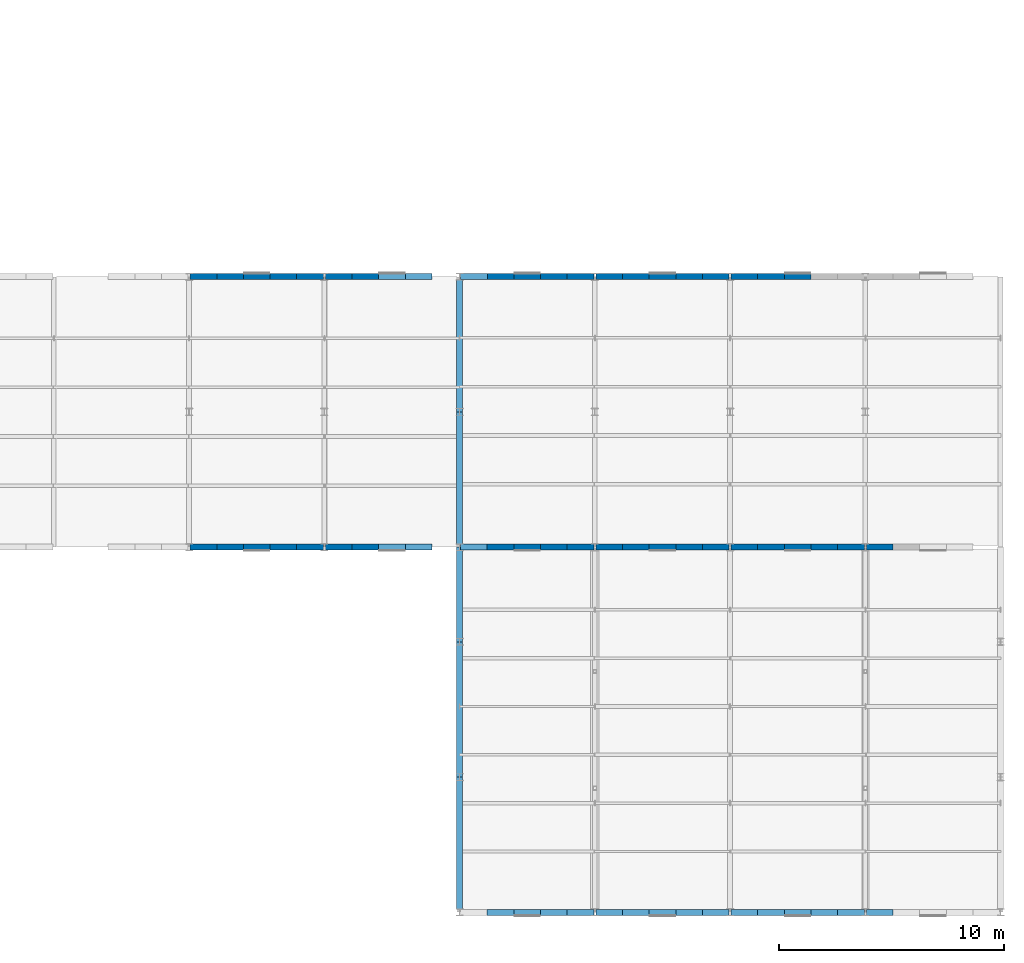
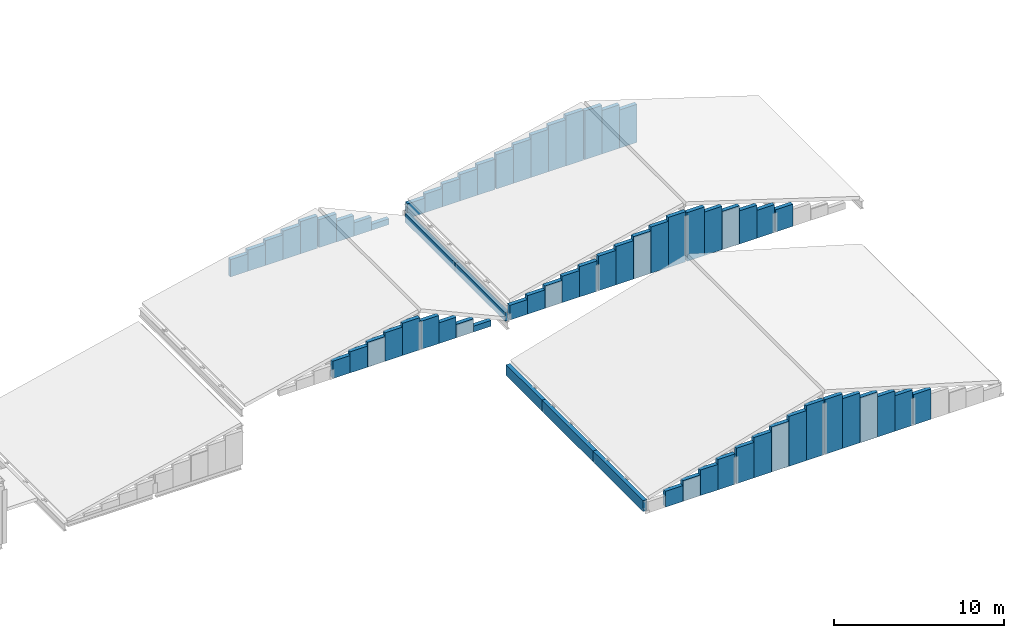
# One storey, part 66 of 74: 67 walls.
"""IFC4 building model written with IfcOpenShell, lengths in metres."""

from ifc_helpers import new_model, si_unit, direction, frame, frame_2d, origin, place, context, subcontext, project, spatial, rectangle, extrude, material, layer, layer_set, type_object, element, save


model = new_model("IFC4")

# Units and contexts
model_context = context("Model", 3, precision=1e-05, world=origin(), true_north=direction((0.0, 1.0)))
body_context = subcontext(model_context, "Body", "Model", "MODEL_VIEW")
ifc_project = project(units=[si_unit("LENGTHUNIT", "METRE"), si_unit("AREAUNIT", "SQUARE_METRE"), si_unit("VOLUMEUNIT", "CUBIC_METRE"), si_unit("PLANEANGLEUNIT", "RADIAN"), si_unit("MASSUNIT", "GRAM", prefix="KILO")], contexts=[model_context])

# Site, building, storey
site_placement = place(None, origin())
site = spatial("IfcSite", under=ifc_project, at=site_placement, CompositionType="ELEMENT")
building_placement = place(site_placement, origin())
building = spatial("IfcBuilding", under=site, at=building_placement, Name="Siltcreek Boulevard Central Fire Station", CompositionType="ELEMENT")
storey_placement = place(building_placement, frame((0.0, 0.0, 25.199951171875)))
storey = spatial("IfcBuildingStorey", under=building, at=storey_placement, Name="RF", CompositionType="ELEMENT", Elevation=25.199951171875)

# Walls
ifc_material = material(Name="Western Red Cedar insulated gable wall", Category="wood")
ifc_layer = layer(ifc_material, 0.264892578125, Name="Western Red Cedar insulated gable wall")
ifc_layer_set = layer_set([ifc_layer], Name="Western Red Cedar insulated gable wall")
wall_type = type_object("IfcWallType", Name="EW_CEDAR265", PredefinedType="STANDARD", material=ifc_layer_set)
wall_1_placement = place(storey_placement, frame((130.2451171875, 18.0, -11.199951171875), z_axis=(0.0, 0.0, 1.0), x_axis=(1.0, 0.0, 0.0)))
element("IfcWall", 1, at=wall_1_placement, inside=storey, type_object=wall_type, Name="Roof gable timber-lined enclosure wall RF-H7W-0306", PredefinedType="STANDARD", context=body_context, shape_type="SweptSolid", body=[
    extrude(rectangle(XDim=1.181884765625, YDim=0.264892578125, at=frame_2d((0.5908203125, 0.0))), origin(), (0.0, 0.0, 1.0), 1.243896484375),
])
wall_2_placement = place(storey_placement, frame((131.427001953125, 18.0, -11.199951171875), z_axis=(0.0, 0.0, 1.0), x_axis=(1.0, 0.0, 0.0)))
element("IfcWall", 2, at=wall_2_placement, inside=storey, type_object=wall_type, Name="Roof gable timber-lined enclosure wall RF-H7W-0307", PredefinedType="STANDARD", context=body_context, shape_type="SweptSolid", body=[
    extrude(rectangle(XDim=1.181884765625, YDim=0.264892578125, at=frame_2d((0.5908203125, 0.0))), origin(), (0.0, 0.0, 1.0), 1.509765625),
])
wall_3_placement = place(storey_placement, frame((132.60888671875, 18.0, -11.199951171875), z_axis=(0.0, 0.0, 1.0), x_axis=(1.0, 0.0, 0.0)))
element("IfcWall", 3, at=wall_3_placement, inside=storey, type_object=wall_type, Name="Roof gable timber-lined enclosure wall RF-H7W-0308", PredefinedType="STANDARD", context=body_context, shape_type="SweptSolid", body=[
    extrude(rectangle(XDim=1.18212890625, YDim=0.264892578125, at=frame_2d((0.591064453125, 0.0))), origin(), (0.0, 0.0, 1.0), 1.77587890625),
])
wall_4_placement = place(storey_placement, frame((133.791015625, 18.0, -11.199951171875), z_axis=(0.0, 0.0, 1.0), x_axis=(1.0, 0.0, 0.0)))
element("IfcWall", 4, at=wall_4_placement, inside=storey, type_object=wall_type, Name="Roof gable timber-lined enclosure wall RF-H7W-0309", PredefinedType="STANDARD", context=body_context, shape_type="SweptSolid", body=[
    extrude(rectangle(XDim=1.181884765625, YDim=0.264892578125, at=frame_2d((0.5908203125, 0.0))), origin(), (0.0, 0.0, 1.0), 2.041748046875),
])
wall_5_placement = place(storey_placement, frame((134.972900390625, 18.0, -11.199951171875), z_axis=(0.0, 0.0, 1.0), x_axis=(1.0, 0.0, 0.0)))
element("IfcWall", 5, at=wall_5_placement, inside=storey, type_object=wall_type, Name="Roof gable timber-lined enclosure wall RF-H7W-0310", PredefinedType="STANDARD", context=body_context, shape_type="SweptSolid", body=[
    extrude(rectangle(XDim=1.18212890625, YDim=0.264892578125, at=frame_2d((0.591064453125, 0.0))), origin(), (0.0, 0.0, 1.0), 2.3076171875),
])
wall_6_placement = place(storey_placement, frame((131.427001953125, 30.0, -11.199951171875), z_axis=(0.0, 0.0, 1.0), x_axis=(-1.0, 0.0, 0.0)))
element("IfcWall", 6, at=wall_6_placement, inside=storey, type_object=wall_type, Name="Roof gable timber-lined enclosure wall RF-H7W-0314", PredefinedType="STANDARD", context=body_context, shape_type="SweptSolid", body=[
    extrude(rectangle(XDim=1.181884765625, YDim=0.264892578125, at=frame_2d((0.5908203125, 0.0))), origin(), (0.0, 0.0, 1.0), 1.243896484375),
])
wall_7_placement = place(storey_placement, frame((132.60888671875, 30.0, -11.199951171875), z_axis=(0.0, 0.0, 1.0), x_axis=(-1.0, 0.0, 0.0)))
element("IfcWall", 7, at=wall_7_placement, inside=storey, type_object=wall_type, Name="Roof gable timber-lined enclosure wall RF-H7W-0315", PredefinedType="STANDARD", context=body_context, shape_type="SweptSolid", body=[
    extrude(rectangle(XDim=1.181884765625, YDim=0.264892578125, at=frame_2d((0.5908203125, 0.0))), origin(), (0.0, 0.0, 1.0), 1.509765625),
])
wall_8_placement = place(storey_placement, frame((133.791015625, 30.0, -11.199951171875), z_axis=(0.0, 0.0, 1.0), x_axis=(-1.0, 0.0, 0.0)))
element("IfcWall", 8, at=wall_8_placement, inside=storey, type_object=wall_type, Name="Roof gable timber-lined enclosure wall RF-H7W-0316", PredefinedType="STANDARD", context=body_context, shape_type="SweptSolid", body=[
    extrude(rectangle(XDim=1.18212890625, YDim=0.264892578125, at=frame_2d((0.591064453125, 0.0))), origin(), (0.0, 0.0, 1.0), 1.77587890625),
])
wall_9_placement = place(storey_placement, frame((134.972900390625, 30.0, -11.199951171875), z_axis=(0.0, 0.0, 1.0), x_axis=(-1.0, 0.0, 0.0)))
element("IfcWall", 9, at=wall_9_placement, inside=storey, type_object=wall_type, Name="Roof gable timber-lined enclosure wall RF-H7W-0317", PredefinedType="STANDARD", context=body_context, shape_type="SweptSolid", body=[
    extrude(rectangle(XDim=1.181884765625, YDim=0.264892578125, at=frame_2d((0.5908203125, 0.0))), origin(), (0.0, 0.0, 1.0), 2.041748046875),
])
wall_10_placement = place(storey_placement, frame((136.155029296875, 30.0, -11.199951171875), z_axis=(0.0, 0.0, 1.0), x_axis=(-1.0, 0.0, 0.0)))
element("IfcWall", 10, at=wall_10_placement, inside=storey, type_object=wall_type, Name="Roof gable timber-lined enclosure wall RF-H7W-0318", PredefinedType="STANDARD", context=body_context, shape_type="SweptSolid", body=[
    extrude(rectangle(XDim=1.18212890625, YDim=0.264892578125, at=frame_2d((0.591064453125, 0.0))), origin(), (0.0, 0.0, 1.0), 2.3076171875),
])
wall_11_placement = place(storey_placement, frame((136.2451171875, 18.0, -11.199951171875), z_axis=(0.0, 0.0, 1.0), x_axis=(1.0, 0.0, 0.0)))
element("IfcWall", 11, at=wall_11_placement, inside=storey, type_object=wall_type, Name="Roof gable timber-lined enclosure wall RF-H7E-0319", PredefinedType="STANDARD", context=body_context, shape_type="SweptSolid", body=[
    extrude(rectangle(XDim=1.181884765625, YDim=0.264892578125, at=frame_2d((0.5908203125, 0.0))), origin(), (0.0, 0.0, 1.0), 2.013671875),
])
wall_12_placement = place(storey_placement, frame((137.427001953125, 18.0, -11.199951171875), z_axis=(0.0, 0.0, 1.0), x_axis=(1.0, 0.0, 0.0)))
element("IfcWall", 12, at=wall_12_placement, inside=storey, type_object=wall_type, Name="Roof gable timber-lined enclosure wall RF-H7E-0320", PredefinedType="STANDARD", context=body_context, shape_type="SweptSolid", body=[
    extrude(rectangle(XDim=1.181884765625, YDim=0.264892578125, at=frame_2d((0.5908203125, 0.0))), origin(), (0.0, 0.0, 1.0), 1.481689453125),
])
wall_13_placement = place(storey_placement, frame((138.60888671875, 18.0, -11.199951171875), z_axis=(0.0, 0.0, 1.0), x_axis=(1.0, 0.0, 0.0)))
element("IfcWall", 13, at=wall_13_placement, inside=storey, type_object=wall_type, Name="Roof gable timber-lined enclosure wall RF-H7E-0321", PredefinedType="STANDARD", context=body_context, shape_type="SweptSolid", body=[
    extrude(rectangle(XDim=1.18212890625, YDim=0.264892578125, at=frame_2d((0.591064453125, 0.0))), origin(), (0.0, 0.0, 1.0), 0.949951171875),
])
wall_14_placement = place(storey_placement, frame((139.791015625, 18.0, -11.199951171875), z_axis=(0.0, 0.0, 1.0), x_axis=(1.0, 0.0, 0.0)))
element("IfcWall", 14, at=wall_14_placement, inside=storey, type_object=wall_type, Name="Roof gable timber-lined enclosure wall RF-H7E-0322", PredefinedType="STANDARD", context=body_context, shape_type="SweptSolid", body=[
    extrude(rectangle(XDim=1.181884765625, YDim=0.264892578125, at=frame_2d((0.5908203125, 0.0))), origin(), (0.0, 0.0, 1.0), 0.41796875),
])
wall_15_placement = place(storey_placement, frame((137.427001953125, 30.0, -11.199951171875), z_axis=(0.0, 0.0, 1.0), x_axis=(-1.0, 0.0, 0.0)))
element("IfcWall", 15, at=wall_15_placement, inside=storey, type_object=wall_type, Name="Roof gable timber-lined enclosure wall RF-H7E-0323", PredefinedType="STANDARD", context=body_context, shape_type="SweptSolid", body=[
    extrude(rectangle(XDim=1.181884765625, YDim=0.264892578125, at=frame_2d((0.5908203125, 0.0))), origin(), (0.0, 0.0, 1.0), 2.013671875),
])
wall_16_placement = place(storey_placement, frame((138.60888671875, 30.0, -11.199951171875), z_axis=(0.0, 0.0, 1.0), x_axis=(-1.0, 0.0, 0.0)))
element("IfcWall", 16, at=wall_16_placement, inside=storey, type_object=wall_type, Name="Roof gable timber-lined enclosure wall RF-H7E-0324", PredefinedType="STANDARD", context=body_context, shape_type="SweptSolid", body=[
    extrude(rectangle(XDim=1.181884765625, YDim=0.264892578125, at=frame_2d((0.5908203125, 0.0))), origin(), (0.0, 0.0, 1.0), 1.481689453125),
])
wall_17_placement = place(storey_placement, frame((139.791015625, 30.0, -11.199951171875), z_axis=(0.0, 0.0, 1.0), x_axis=(-1.0, 0.0, 0.0)))
element("IfcWall", 17, at=wall_17_placement, inside=storey, type_object=wall_type, Name="Roof gable timber-lined enclosure wall RF-H7E-0325", PredefinedType="STANDARD", context=body_context, shape_type="SweptSolid", body=[
    extrude(rectangle(XDim=1.18212890625, YDim=0.264892578125, at=frame_2d((0.591064453125, 0.0))), origin(), (0.0, 0.0, 1.0), 0.949951171875),
])
wall_18_placement = place(storey_placement, frame((140.972900390625, 30.0, -11.199951171875), z_axis=(0.0, 0.0, 1.0), x_axis=(-1.0, 0.0, 0.0)))
element("IfcWall", 18, at=wall_18_placement, inside=storey, type_object=wall_type, Name="Roof gable timber-lined enclosure wall RF-H7E-0326", PredefinedType="STANDARD", context=body_context, shape_type="SweptSolid", body=[
    extrude(rectangle(XDim=1.181884765625, YDim=0.264892578125, at=frame_2d((0.5908203125, 0.0))), origin(), (0.0, 0.0, 1.0), 0.41796875),
])
wall_19_placement = place(storey_placement, frame((143.427001953125, 1.800048828125, -15.199951171875), z_axis=(0.0, 0.0, 1.0), x_axis=(1.0, 0.0, 0.0)))
element("IfcWall", 19, at=wall_19_placement, inside=storey, type_object=wall_type, Name="Roof gable timber-lined enclosure wall RF-H8W-TH-0328", PredefinedType="STANDARD", context=body_context, shape_type="SweptSolid", body=[
    extrude(rectangle(XDim=1.181884765625, YDim=0.264892578125, at=frame_2d((0.5908203125, 0.0))), origin(), (0.0, 0.0, 1.0), 1.137451171875),
])
wall_20_placement = place(storey_placement, frame((144.60888671875, 1.800048828125, -15.199951171875), z_axis=(0.0, 0.0, 1.0), x_axis=(1.0, 0.0, 0.0)))
element("IfcWall", 20, at=wall_20_placement, inside=storey, type_object=wall_type, Name="Roof gable timber-lined enclosure wall RF-H8W-TH-0329", PredefinedType="STANDARD", context=body_context, shape_type="SweptSolid", body=[
    extrude(rectangle(XDim=1.18212890625, YDim=0.264892578125, at=frame_2d((0.591064453125, 0.0))), origin(), (0.0, 0.0, 1.0), 1.482177734375),
])
wall_21_placement = place(storey_placement, frame((145.791015625, 1.800048828125, -15.199951171875), z_axis=(0.0, 0.0, 1.0), x_axis=(1.0, 0.0, 0.0)))
element("IfcWall", 21, at=wall_21_placement, inside=storey, type_object=wall_type, Name="Roof gable timber-lined enclosure wall RF-H8W-TH-0330", PredefinedType="STANDARD", context=body_context, shape_type="SweptSolid", body=[
    extrude(rectangle(XDim=1.181884765625, YDim=0.264892578125, at=frame_2d((0.5908203125, 0.0))), origin(), (0.0, 0.0, 1.0), 1.826904296875),
])
wall_22_placement = place(storey_placement, frame((146.972900390625, 1.800048828125, -15.199951171875), z_axis=(0.0, 0.0, 1.0), x_axis=(1.0, 0.0, 0.0)))
element("IfcWall", 22, at=wall_22_placement, inside=storey, type_object=wall_type, Name="Roof gable timber-lined enclosure wall RF-H8W-TH-0331", PredefinedType="STANDARD", context=body_context, shape_type="SweptSolid", body=[
    extrude(rectangle(XDim=1.18212890625, YDim=0.264892578125, at=frame_2d((0.591064453125, 0.0))), origin(), (0.0, 0.0, 1.0), 2.171630859375),
])
wall_23_placement = place(storey_placement, frame((148.2451171875, 1.800048828125, -15.199951171875), z_axis=(0.0, 0.0, 1.0), x_axis=(1.0, 0.0, 0.0)))
element("IfcWall", 23, at=wall_23_placement, inside=storey, type_object=wall_type, Name="Roof gable timber-lined enclosure wall RF-H8W-TH-0332", PredefinedType="STANDARD", context=body_context, shape_type="SweptSolid", body=[
    extrude(rectangle(XDim=1.181884765625, YDim=0.264892578125, at=frame_2d((0.5908203125, 0.0))), origin(), (0.0, 0.0, 1.0), 2.542724609375),
])
wall_24_placement = place(storey_placement, frame((149.427001953125, 1.800048828125, -15.199951171875), z_axis=(0.0, 0.0, 1.0), x_axis=(1.0, 0.0, 0.0)))
element("IfcWall", 24, at=wall_24_placement, inside=storey, type_object=wall_type, Name="Roof gable timber-lined enclosure wall RF-H8W-TH-0333", PredefinedType="STANDARD", context=body_context, shape_type="SweptSolid", body=[
    extrude(rectangle(XDim=1.181884765625, YDim=0.264892578125, at=frame_2d((0.5908203125, 0.0))), origin(), (0.0, 0.0, 1.0), 2.887451171875),
])
wall_25_placement = place(storey_placement, frame((150.60888671875, 1.800048828125, -15.199951171875), z_axis=(0.0, 0.0, 1.0), x_axis=(1.0, 0.0, 0.0)))
element("IfcWall", 25, at=wall_25_placement, inside=storey, type_object=wall_type, Name="Roof gable timber-lined enclosure wall RF-H8W-TH-0334", PredefinedType="STANDARD", context=body_context, shape_type="SweptSolid", body=[
    extrude(rectangle(XDim=1.18212890625, YDim=0.264892578125, at=frame_2d((0.591064453125, 0.0))), origin(), (0.0, 0.0, 1.0), 3.232177734375),
])
wall_26_placement = place(storey_placement, frame((151.791015625, 1.800048828125, -15.199951171875), z_axis=(0.0, 0.0, 1.0), x_axis=(1.0, 0.0, 0.0)))
element("IfcWall", 26, at=wall_26_placement, inside=storey, type_object=wall_type, Name="Roof gable timber-lined enclosure wall RF-H8W-TH-0335", PredefinedType="STANDARD", context=body_context, shape_type="SweptSolid", body=[
    extrude(rectangle(XDim=1.181884765625, YDim=0.264892578125, at=frame_2d((0.5908203125, 0.0))), origin(), (0.0, 0.0, 1.0), 3.576904296875),
])
wall_27_placement = place(storey_placement, frame((152.972900390625, 1.800048828125, -15.199951171875), z_axis=(0.0, 0.0, 1.0), x_axis=(1.0, 0.0, 0.0)))
element("IfcWall", 27, at=wall_27_placement, inside=storey, type_object=wall_type, Name="Roof gable timber-lined enclosure wall RF-H8W-TH-0336", PredefinedType="STANDARD", context=body_context, shape_type="SweptSolid", body=[
    extrude(rectangle(XDim=1.18212890625, YDim=0.264892578125, at=frame_2d((0.591064453125, 0.0))), origin(), (0.0, 0.0, 1.0), 3.921630859375),
])
wall_28_placement = place(storey_placement, frame((142.199951171875, 7.800048828125, -15.199951171875), z_axis=(0.0, 0.0, 1.0), x_axis=(0.0, -1.0, 0.0)))
element("IfcWall", 28, at=wall_28_placement, inside=storey, type_object=wall_type, Name="Roof step cheek enclosure wall RF-H8W-TH-0337", PredefinedType="STANDARD", context=body_context, shape_type="SweptSolid", body=[
    extrude(rectangle(XDim=5.867431640625, YDim=0.264892578125, at=frame_2d((2.93359375, 0.0))), origin(), (0.0, 0.0, 1.0), 0.779541015625),
])
wall_29_placement = place(storey_placement, frame((142.199951171875, 13.800048828125, -15.199951171875), z_axis=(0.0, 0.0, 1.0), x_axis=(0.0, -1.0, 0.0)))
element("IfcWall", 29, at=wall_29_placement, inside=storey, type_object=wall_type, Name="Roof step cheek enclosure wall RF-H8W-TH-0338", PredefinedType="STANDARD", context=body_context, shape_type="SweptSolid", body=[
    extrude(rectangle(XDim=6.0, YDim=0.264892578125, at=frame_2d((3.0, 0.0))), origin(), (0.0, 0.0, 1.0), 0.779541015625),
])
wall_30_placement = place(storey_placement, frame((142.199951171875, 18.0, -15.199951171875), z_axis=(0.0, 0.0, 1.0), x_axis=(0.0, -1.0, 0.0)))
element("IfcWall", 30, at=wall_30_placement, inside=storey, type_object=wall_type, Name="Roof step cheek enclosure wall RF-H8W-TH-0339", PredefinedType="STANDARD", context=body_context, shape_type="SweptSolid", body=[
    extrude(rectangle(XDim=4.199951171875, YDim=0.264892578125, at=frame_2d((2.10009765625, 0.0))), origin(), (0.0, 0.0, 1.0), 0.779541015625),
])
wall_31_placement = place(storey_placement, frame((154.2451171875, 1.800048828125, -15.199951171875), z_axis=(0.0, 0.0, 1.0), x_axis=(1.0, 0.0, 0.0)))
element("IfcWall", 31, at=wall_31_placement, inside=storey, type_object=wall_type, Name="Roof gable timber-lined enclosure wall RF-H8E-TH-0340", PredefinedType="STANDARD", context=body_context, shape_type="SweptSolid", body=[
    extrude(rectangle(XDim=1.181884765625, YDim=0.264892578125, at=frame_2d((0.5908203125, 0.0))), origin(), (0.0, 0.0, 1.0), 3.921630859375),
])
wall_32_placement = place(storey_placement, frame((155.427001953125, 1.800048828125, -15.199951171875), z_axis=(0.0, 0.0, 1.0), x_axis=(1.0, 0.0, 0.0)))
element("IfcWall", 32, at=wall_32_placement, inside=storey, type_object=wall_type, Name="Roof gable timber-lined enclosure wall RF-H8E-TH-0341", PredefinedType="STANDARD", context=body_context, shape_type="SweptSolid", body=[
    extrude(rectangle(XDim=1.181884765625, YDim=0.264892578125, at=frame_2d((0.5908203125, 0.0))), origin(), (0.0, 0.0, 1.0), 3.576904296875),
])
wall_33_placement = place(storey_placement, frame((156.60888671875, 1.800048828125, -15.199951171875), z_axis=(0.0, 0.0, 1.0), x_axis=(1.0, 0.0, 0.0)))
element("IfcWall", 33, at=wall_33_placement, inside=storey, type_object=wall_type, Name="Roof gable timber-lined enclosure wall RF-H8E-TH-0342", PredefinedType="STANDARD", context=body_context, shape_type="SweptSolid", body=[
    extrude(rectangle(XDim=1.18212890625, YDim=0.264892578125, at=frame_2d((0.591064453125, 0.0))), origin(), (0.0, 0.0, 1.0), 3.232177734375),
])
wall_34_placement = place(storey_placement, frame((157.791015625, 1.800048828125, -15.199951171875), z_axis=(0.0, 0.0, 1.0), x_axis=(1.0, 0.0, 0.0)))
element("IfcWall", 34, at=wall_34_placement, inside=storey, type_object=wall_type, Name="Roof gable timber-lined enclosure wall RF-H8E-TH-0343", PredefinedType="STANDARD", context=body_context, shape_type="SweptSolid", body=[
    extrude(rectangle(XDim=1.181884765625, YDim=0.264892578125, at=frame_2d((0.5908203125, 0.0))), origin(), (0.0, 0.0, 1.0), 2.887451171875),
])
wall_35_placement = place(storey_placement, frame((158.972900390625, 1.800048828125, -15.199951171875), z_axis=(0.0, 0.0, 1.0), x_axis=(1.0, 0.0, 0.0)))
element("IfcWall", 35, at=wall_35_placement, inside=storey, type_object=wall_type, Name="Roof gable timber-lined enclosure wall RF-H8E-TH-0344", PredefinedType="STANDARD", context=body_context, shape_type="SweptSolid", body=[
    extrude(rectangle(XDim=1.18212890625, YDim=0.264892578125, at=frame_2d((0.591064453125, 0.0))), origin(), (0.0, 0.0, 1.0), 2.542724609375),
])
wall_36_placement = place(storey_placement, frame((160.2451171875, 1.800048828125, -15.199951171875), z_axis=(0.0, 0.0, 1.0), x_axis=(1.0, 0.0, 0.0)))
element("IfcWall", 36, at=wall_36_placement, inside=storey, type_object=wall_type, Name="Roof gable timber-lined enclosure wall RF-H8E-TH-0345", PredefinedType="STANDARD", context=body_context, shape_type="SweptSolid", body=[
    extrude(rectangle(XDim=1.181884765625, YDim=0.264892578125, at=frame_2d((0.5908203125, 0.0))), origin(), (0.0, 0.0, 1.0), 2.171630859375),
])
wall_37_placement = place(storey_placement, frame((142.2451171875, 18.0, -11.199951171875), z_axis=(0.0, 0.0, 1.0), x_axis=(1.0, 0.0, 0.0)))
element("IfcWall", 37, at=wall_37_placement, inside=storey, type_object=wall_type, Name="Roof gable timber-lined enclosure wall RF-H8W-UP-0353", PredefinedType="STANDARD", context=body_context, shape_type="SweptSolid", body=[
    extrude(rectangle(XDim=1.181884765625, YDim=0.264892578125, at=frame_2d((0.5908203125, 0.0))), origin(), (0.0, 0.0, 1.0), 1.043701171875),
])
wall_38_placement = place(storey_placement, frame((143.427001953125, 18.0, -11.199951171875), z_axis=(0.0, 0.0, 1.0), x_axis=(1.0, 0.0, 0.0)))
element("IfcWall", 38, at=wall_38_placement, inside=storey, type_object=wall_type, Name="Roof gable timber-lined enclosure wall RF-H8W-UP-0354", PredefinedType="STANDARD", context=body_context, shape_type="SweptSolid", body=[
    extrude(rectangle(XDim=1.181884765625, YDim=0.264892578125, at=frame_2d((0.5908203125, 0.0))), origin(), (0.0, 0.0, 1.0), 1.324462890625),
])
wall_39_placement = place(storey_placement, frame((144.60888671875, 18.0, -11.199951171875), z_axis=(0.0, 0.0, 1.0), x_axis=(1.0, 0.0, 0.0)))
element("IfcWall", 39, at=wall_39_placement, inside=storey, type_object=wall_type, Name="Roof gable timber-lined enclosure wall RF-H8W-UP-0355", PredefinedType="STANDARD", context=body_context, shape_type="SweptSolid", body=[
    extrude(rectangle(XDim=1.18212890625, YDim=0.264892578125, at=frame_2d((0.591064453125, 0.0))), origin(), (0.0, 0.0, 1.0), 1.605224609375),
])
wall_40_placement = place(storey_placement, frame((145.791015625, 18.0, -11.199951171875), z_axis=(0.0, 0.0, 1.0), x_axis=(1.0, 0.0, 0.0)))
element("IfcWall", 40, at=wall_40_placement, inside=storey, type_object=wall_type, Name="Roof gable timber-lined enclosure wall RF-H8W-UP-0356", PredefinedType="STANDARD", context=body_context, shape_type="SweptSolid", body=[
    extrude(rectangle(XDim=1.181884765625, YDim=0.264892578125, at=frame_2d((0.5908203125, 0.0))), origin(), (0.0, 0.0, 1.0), 1.885986328125),
])
wall_41_placement = place(storey_placement, frame((146.972900390625, 18.0, -11.199951171875), z_axis=(0.0, 0.0, 1.0), x_axis=(1.0, 0.0, 0.0)))
element("IfcWall", 41, at=wall_41_placement, inside=storey, type_object=wall_type, Name="Roof gable timber-lined enclosure wall RF-H8W-UP-0357", PredefinedType="STANDARD", context=body_context, shape_type="SweptSolid", body=[
    extrude(rectangle(XDim=1.18212890625, YDim=0.264892578125, at=frame_2d((0.591064453125, 0.0))), origin(), (0.0, 0.0, 1.0), 2.16650390625),
])
wall_42_placement = place(storey_placement, frame((148.2451171875, 18.0, -11.199951171875), z_axis=(0.0, 0.0, 1.0), x_axis=(1.0, 0.0, 0.0)))
element("IfcWall", 42, at=wall_42_placement, inside=storey, type_object=wall_type, Name="Roof gable timber-lined enclosure wall RF-H8W-UP-0358", PredefinedType="STANDARD", context=body_context, shape_type="SweptSolid", body=[
    extrude(rectangle(XDim=1.181884765625, YDim=0.264892578125, at=frame_2d((0.5908203125, 0.0))), origin(), (0.0, 0.0, 1.0), 2.46875),
])
wall_43_placement = place(storey_placement, frame((149.427001953125, 18.0, -11.199951171875), z_axis=(0.0, 0.0, 1.0), x_axis=(1.0, 0.0, 0.0)))
element("IfcWall", 43, at=wall_43_placement, inside=storey, type_object=wall_type, Name="Roof gable timber-lined enclosure wall RF-H8W-UP-0359", PredefinedType="STANDARD", context=body_context, shape_type="SweptSolid", body=[
    extrude(rectangle(XDim=1.181884765625, YDim=0.264892578125, at=frame_2d((0.5908203125, 0.0))), origin(), (0.0, 0.0, 1.0), 2.74951171875),
])
wall_44_placement = place(storey_placement, frame((150.60888671875, 18.0, -11.199951171875), z_axis=(0.0, 0.0, 1.0), x_axis=(1.0, 0.0, 0.0)))
element("IfcWall", 44, at=wall_44_placement, inside=storey, type_object=wall_type, Name="Roof gable timber-lined enclosure wall RF-H8W-UP-0360", PredefinedType="STANDARD", context=body_context, shape_type="SweptSolid", body=[
    extrude(rectangle(XDim=1.18212890625, YDim=0.264892578125, at=frame_2d((0.591064453125, 0.0))), origin(), (0.0, 0.0, 1.0), 3.0302734375),
])
wall_45_placement = place(storey_placement, frame((151.791015625, 18.0, -11.199951171875), z_axis=(0.0, 0.0, 1.0), x_axis=(1.0, 0.0, 0.0)))
element("IfcWall", 45, at=wall_45_placement, inside=storey, type_object=wall_type, Name="Roof gable timber-lined enclosure wall RF-H8W-UP-0361", PredefinedType="STANDARD", context=body_context, shape_type="SweptSolid", body=[
    extrude(rectangle(XDim=1.181884765625, YDim=0.264892578125, at=frame_2d((0.5908203125, 0.0))), origin(), (0.0, 0.0, 1.0), 3.310791015625),
])
wall_46_placement = place(storey_placement, frame((152.972900390625, 18.0, -11.199951171875), z_axis=(0.0, 0.0, 1.0), x_axis=(1.0, 0.0, 0.0)))
element("IfcWall", 46, at=wall_46_placement, inside=storey, type_object=wall_type, Name="Roof gable timber-lined enclosure wall RF-H8W-UP-0362", PredefinedType="STANDARD", context=body_context, shape_type="SweptSolid", body=[
    extrude(rectangle(XDim=1.18212890625, YDim=0.264892578125, at=frame_2d((0.591064453125, 0.0))), origin(), (0.0, 0.0, 1.0), 3.591552734375),
])
wall_47_placement = place(storey_placement, frame((143.427001953125, 30.0, -11.199951171875), z_axis=(0.0, 0.0, 1.0), x_axis=(-1.0, 0.0, 0.0)))
element("IfcWall", 47, at=wall_47_placement, inside=storey, type_object=wall_type, Name="Roof gable timber-lined enclosure wall RF-H8W-UP-0363", PredefinedType="STANDARD", context=body_context, shape_type="SweptSolid", body=[
    extrude(rectangle(XDim=1.181884765625, YDim=0.264892578125, at=frame_2d((0.5908203125, 0.0))), origin(), (0.0, 0.0, 1.0), 1.043701171875),
])
wall_48_placement = place(storey_placement, frame((144.60888671875, 30.0, -11.199951171875), z_axis=(0.0, 0.0, 1.0), x_axis=(-1.0, 0.0, 0.0)))
element("IfcWall", 48, at=wall_48_placement, inside=storey, type_object=wall_type, Name="Roof gable timber-lined enclosure wall RF-H8W-UP-0364", PredefinedType="STANDARD", context=body_context, shape_type="SweptSolid", body=[
    extrude(rectangle(XDim=1.181884765625, YDim=0.264892578125, at=frame_2d((0.5908203125, 0.0))), origin(), (0.0, 0.0, 1.0), 1.324462890625),
])
wall_49_placement = place(storey_placement, frame((145.791015625, 30.0, -11.199951171875), z_axis=(0.0, 0.0, 1.0), x_axis=(-1.0, 0.0, 0.0)))
element("IfcWall", 49, at=wall_49_placement, inside=storey, type_object=wall_type, Name="Roof gable timber-lined enclosure wall RF-H8W-UP-0365", PredefinedType="STANDARD", context=body_context, shape_type="SweptSolid", body=[
    extrude(rectangle(XDim=1.18212890625, YDim=0.264892578125, at=frame_2d((0.591064453125, 0.0))), origin(), (0.0, 0.0, 1.0), 1.605224609375),
])
wall_50_placement = place(storey_placement, frame((146.972900390625, 30.0, -11.199951171875), z_axis=(0.0, 0.0, 1.0), x_axis=(-1.0, 0.0, 0.0)))
element("IfcWall", 50, at=wall_50_placement, inside=storey, type_object=wall_type, Name="Roof gable timber-lined enclosure wall RF-H8W-UP-0366", PredefinedType="STANDARD", context=body_context, shape_type="SweptSolid", body=[
    extrude(rectangle(XDim=1.181884765625, YDim=0.264892578125, at=frame_2d((0.5908203125, 0.0))), origin(), (0.0, 0.0, 1.0), 1.885986328125),
])
wall_51_placement = place(storey_placement, frame((148.155029296875, 30.0, -11.199951171875), z_axis=(0.0, 0.0, 1.0), x_axis=(-1.0, 0.0, 0.0)))
element("IfcWall", 51, at=wall_51_placement, inside=storey, type_object=wall_type, Name="Roof gable timber-lined enclosure wall RF-H8W-UP-0367", PredefinedType="STANDARD", context=body_context, shape_type="SweptSolid", body=[
    extrude(rectangle(XDim=1.18212890625, YDim=0.264892578125, at=frame_2d((0.591064453125, 0.0))), origin(), (0.0, 0.0, 1.0), 2.16650390625),
])
wall_52_placement = place(storey_placement, frame((149.427001953125, 30.0, -11.199951171875), z_axis=(0.0, 0.0, 1.0), x_axis=(-1.0, 0.0, 0.0)))
element("IfcWall", 52, at=wall_52_placement, inside=storey, type_object=wall_type, Name="Roof gable timber-lined enclosure wall RF-H8W-UP-0368", PredefinedType="STANDARD", context=body_context, shape_type="SweptSolid", body=[
    extrude(rectangle(XDim=1.181884765625, YDim=0.264892578125, at=frame_2d((0.5908203125, 0.0))), origin(), (0.0, 0.0, 1.0), 2.46875),
])
wall_53_placement = place(storey_placement, frame((150.60888671875, 30.0, -11.199951171875), z_axis=(0.0, 0.0, 1.0), x_axis=(-1.0, 0.0, 0.0)))
element("IfcWall", 53, at=wall_53_placement, inside=storey, type_object=wall_type, Name="Roof gable timber-lined enclosure wall RF-H8W-UP-0369", PredefinedType="STANDARD", context=body_context, shape_type="SweptSolid", body=[
    extrude(rectangle(XDim=1.181884765625, YDim=0.264892578125, at=frame_2d((0.5908203125, 0.0))), origin(), (0.0, 0.0, 1.0), 2.74951171875),
])
wall_54_placement = place(storey_placement, frame((151.791015625, 30.0, -11.199951171875), z_axis=(0.0, 0.0, 1.0), x_axis=(-1.0, 0.0, 0.0)))
element("IfcWall", 54, at=wall_54_placement, inside=storey, type_object=wall_type, Name="Roof gable timber-lined enclosure wall RF-H8W-UP-0370", PredefinedType="STANDARD", context=body_context, shape_type="SweptSolid", body=[
    extrude(rectangle(XDim=1.18212890625, YDim=0.264892578125, at=frame_2d((0.591064453125, 0.0))), origin(), (0.0, 0.0, 1.0), 3.0302734375),
])
wall_55_placement = place(storey_placement, frame((152.972900390625, 30.0, -11.199951171875), z_axis=(0.0, 0.0, 1.0), x_axis=(-1.0, 0.0, 0.0)))
element("IfcWall", 55, at=wall_55_placement, inside=storey, type_object=wall_type, Name="Roof gable timber-lined enclosure wall RF-H8W-UP-0371", PredefinedType="STANDARD", context=body_context, shape_type="SweptSolid", body=[
    extrude(rectangle(XDim=1.181884765625, YDim=0.264892578125, at=frame_2d((0.5908203125, 0.0))), origin(), (0.0, 0.0, 1.0), 3.310791015625),
])
wall_56_placement = place(storey_placement, frame((154.155029296875, 30.0, -11.199951171875), z_axis=(0.0, 0.0, 1.0), x_axis=(-1.0, 0.0, 0.0)))
element("IfcWall", 56, at=wall_56_placement, inside=storey, type_object=wall_type, Name="Roof gable timber-lined enclosure wall RF-H8W-UP-0372", PredefinedType="STANDARD", context=body_context, shape_type="SweptSolid", body=[
    extrude(rectangle(XDim=1.18212890625, YDim=0.264892578125, at=frame_2d((0.591064453125, 0.0))), origin(), (0.0, 0.0, 1.0), 3.591552734375),
])
for number, where, z_axis, x_axis, name in (
    (57, (142.199951171875, 24.0, -11.3984375), (0.0, 0.0, 1.0), (0.0, -1.0, 0.0), "Roof step cheek enclosure wall RF-H8W-UP-0373"),
    (58, (142.199951171875, 29.867431640625, -11.3984375), (0.0, 0.0, 1.0), (0.0, -1.0, 0.0), "Roof step cheek enclosure wall RF-H8W-UP-0374"),
):
    element("IfcWall", number, at=place(storey_placement, frame(where, z_axis=z_axis, x_axis=x_axis)), inside=storey, type_object=wall_type, Name=name, PredefinedType="STANDARD", context=body_context, shape_type="SweptSolid", body=[
        extrude(rectangle(XDim=5.867431640625, YDim=0.264892578125, at=frame_2d((2.93359375, 0.0))), origin(), (0.0, 0.0, 1.0), 0.626708984375),
    ])
wall_57_placement = place(storey_placement, frame((154.2451171875, 18.0, -11.199951171875), z_axis=(0.0, 0.0, 1.0), x_axis=(1.0, 0.0, 0.0)))
element("IfcWall", 59, at=wall_57_placement, inside=storey, type_object=wall_type, Name="Roof gable timber-lined enclosure wall RF-H8E-UP-0375", PredefinedType="STANDARD", context=body_context, shape_type="SweptSolid", body=[
    extrude(rectangle(XDim=1.181884765625, YDim=0.264892578125, at=frame_2d((0.5908203125, 0.0))), origin(), (0.0, 0.0, 1.0), 3.4892578125),
])
wall_58_placement = place(storey_placement, frame((155.427001953125, 18.0, -11.199951171875), z_axis=(0.0, 0.0, 1.0), x_axis=(1.0, 0.0, 0.0)))
element("IfcWall", 60, at=wall_58_placement, inside=storey, type_object=wall_type, Name="Roof gable timber-lined enclosure wall RF-H8E-UP-0376", PredefinedType="STANDARD", context=body_context, shape_type="SweptSolid", body=[
    extrude(rectangle(XDim=1.181884765625, YDim=0.264892578125, at=frame_2d((0.5908203125, 0.0))), origin(), (0.0, 0.0, 1.0), 3.114990234375),
])
wall_59_placement = place(storey_placement, frame((156.60888671875, 18.0, -11.199951171875), z_axis=(0.0, 0.0, 1.0), x_axis=(1.0, 0.0, 0.0)))
element("IfcWall", 61, at=wall_59_placement, inside=storey, type_object=wall_type, Name="Roof gable timber-lined enclosure wall RF-H8E-UP-0377", PredefinedType="STANDARD", context=body_context, shape_type="SweptSolid", body=[
    extrude(rectangle(XDim=1.18212890625, YDim=0.264892578125, at=frame_2d((0.591064453125, 0.0))), origin(), (0.0, 0.0, 1.0), 2.740478515625),
])
wall_60_placement = place(storey_placement, frame((157.791015625, 18.0, -11.199951171875), z_axis=(0.0, 0.0, 1.0), x_axis=(1.0, 0.0, 0.0)))
element("IfcWall", 62, at=wall_60_placement, inside=storey, type_object=wall_type, Name="Roof gable timber-lined enclosure wall RF-H8E-UP-0378", PredefinedType="STANDARD", context=body_context, shape_type="SweptSolid", body=[
    extrude(rectangle(XDim=1.181884765625, YDim=0.264892578125, at=frame_2d((0.5908203125, 0.0))), origin(), (0.0, 0.0, 1.0), 2.3662109375),
])
wall_61_placement = place(storey_placement, frame((158.972900390625, 18.0, -11.199951171875), z_axis=(0.0, 0.0, 1.0), x_axis=(1.0, 0.0, 0.0)))
element("IfcWall", 63, at=wall_61_placement, inside=storey, type_object=wall_type, Name="Roof gable timber-lined enclosure wall RF-H8E-UP-0379", PredefinedType="STANDARD", context=body_context, shape_type="SweptSolid", body=[
    extrude(rectangle(XDim=1.18212890625, YDim=0.264892578125, at=frame_2d((0.591064453125, 0.0))), origin(), (0.0, 0.0, 1.0), 1.991943359375),
])
wall_62_placement = place(storey_placement, frame((160.2451171875, 18.0, -11.199951171875), z_axis=(0.0, 0.0, 1.0), x_axis=(1.0, 0.0, 0.0)))
element("IfcWall", 64, at=wall_62_placement, inside=storey, type_object=wall_type, Name="Roof gable timber-lined enclosure wall RF-H8E-UP-0380", PredefinedType="STANDARD", context=body_context, shape_type="SweptSolid", body=[
    extrude(rectangle(XDim=1.181884765625, YDim=0.264892578125, at=frame_2d((0.5908203125, 0.0))), origin(), (0.0, 0.0, 1.0), 1.589111328125),
])
wall_63_placement = place(storey_placement, frame((155.427001953125, 30.0, -11.199951171875), z_axis=(0.0, 0.0, 1.0), x_axis=(-1.0, 0.0, 0.0)))
element("IfcWall", 65, at=wall_63_placement, inside=storey, type_object=wall_type, Name="Roof gable timber-lined enclosure wall RF-H8E-UP-0384", PredefinedType="STANDARD", context=body_context, shape_type="SweptSolid", body=[
    extrude(rectangle(XDim=1.181884765625, YDim=0.264892578125, at=frame_2d((0.5908203125, 0.0))), origin(), (0.0, 0.0, 1.0), 3.4892578125),
])
wall_64_placement = place(storey_placement, frame((156.60888671875, 30.0, -11.199951171875), z_axis=(0.0, 0.0, 1.0), x_axis=(-1.0, 0.0, 0.0)))
element("IfcWall", 66, at=wall_64_placement, inside=storey, type_object=wall_type, Name="Roof gable timber-lined enclosure wall RF-H8E-UP-0385", PredefinedType="STANDARD", context=body_context, shape_type="SweptSolid", body=[
    extrude(rectangle(XDim=1.181884765625, YDim=0.264892578125, at=frame_2d((0.5908203125, 0.0))), origin(), (0.0, 0.0, 1.0), 3.114990234375),
])
wall_65_placement = place(storey_placement, frame((157.791015625, 30.0, -11.199951171875), z_axis=(0.0, 0.0, 1.0), x_axis=(-1.0, 0.0, 0.0)))
element("IfcWall", 67, at=wall_65_placement, inside=storey, type_object=wall_type, Name="Roof gable timber-lined enclosure wall RF-H8E-UP-0386", PredefinedType="STANDARD", context=body_context, shape_type="SweptSolid", body=[
    extrude(rectangle(XDim=1.18212890625, YDim=0.264892578125, at=frame_2d((0.591064453125, 0.0))), origin(), (0.0, 0.0, 1.0), 2.740478515625),
])

save(model, "model.ifc")
